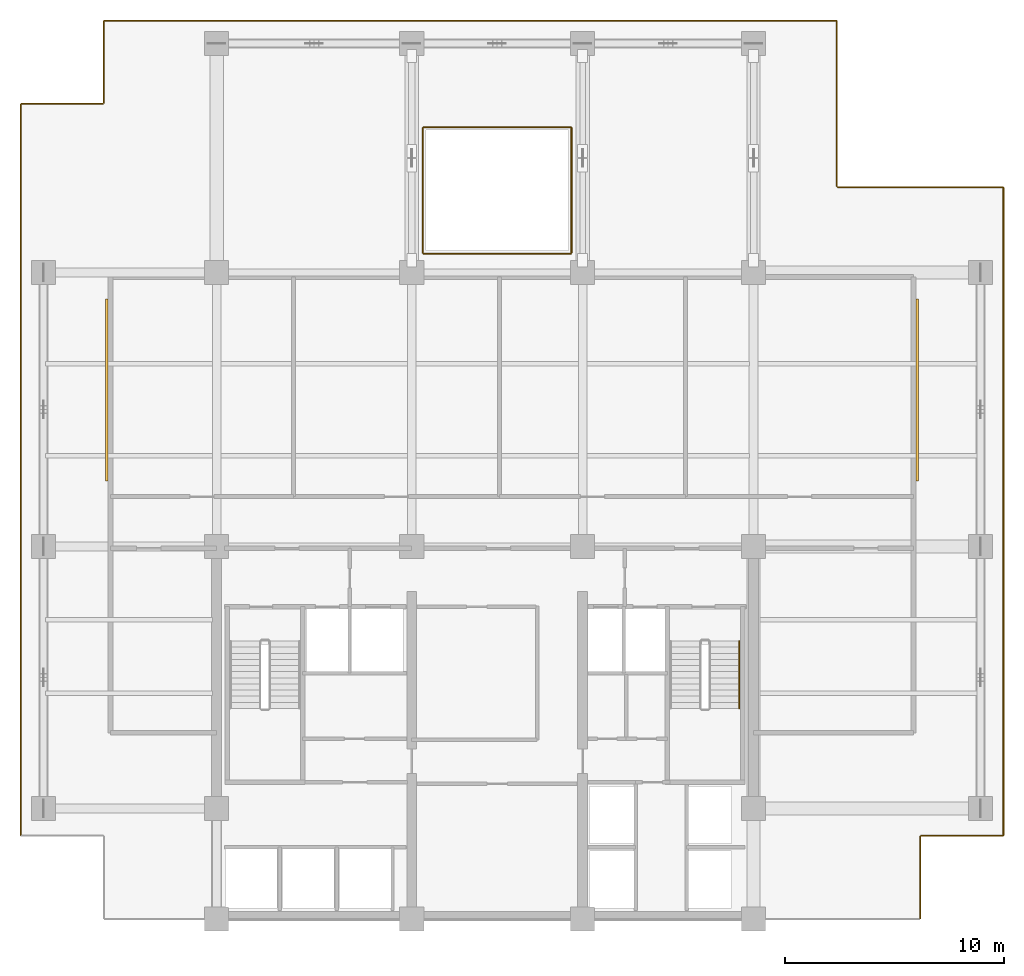
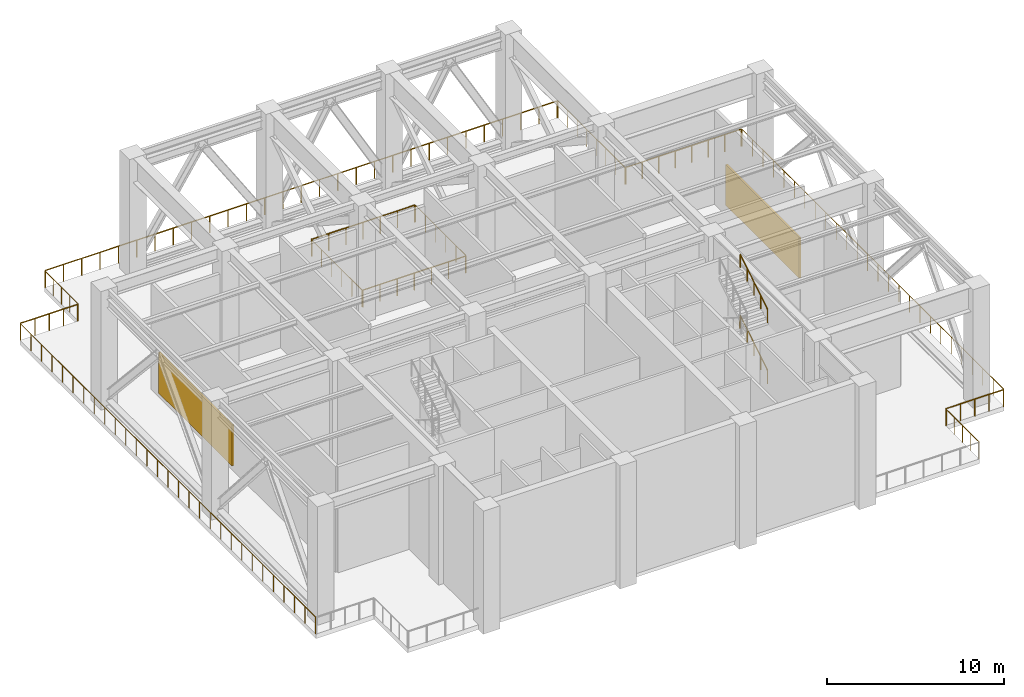
# One storey, part 7 of 7: 15 railings, 2 shading devices.
"""IFC4 building model written with IfcOpenShell, lengths in metres."""

from ifc_helpers import new_model, si_unit, direction, frame, origin, origin_2d, place, context, subcontext, project, spatial, polyline, circle, outline, extrude, material, layer, layer_set, type_object, element, save


model = new_model("IFC4")

# Units and contexts
model_context = context("Model", 3, precision=1e-05, world=origin(), true_north=direction((0.0, 1.0)))
body_context = subcontext(model_context, "Body", "Model", "MODEL_VIEW")
ifc_project = project(units=[si_unit("LENGTHUNIT", "METRE"), si_unit("AREAUNIT", "SQUARE_METRE"), si_unit("VOLUMEUNIT", "CUBIC_METRE"), si_unit("PLANEANGLEUNIT", "RADIAN"), si_unit("MASSUNIT", "GRAM", prefix="KILO")], contexts=[model_context])

# Site, building, storey
site_placement = place(None, origin())
site = spatial("IfcSite", under=ifc_project, at=site_placement, CompositionType="ELEMENT")
building_placement = place(site_placement, origin())
building = spatial("IfcBuilding", under=site, at=building_placement, Name="Qalmaran Belvedere Hotel", CompositionType="ELEMENT")
storey_placement = place(building_placement, frame((0.0, 0.0, 184.10009765625)))
storey = spatial("IfcBuildingStorey", under=building, at=storey_placement, Name="L47", CompositionType="ELEMENT", Elevation=184.10009765625)

# Railings
ifc_material_1 = material(Name="Anodised Bronze Aluminium", Category="aluminium")
railing_type_1 = type_object("IfcRailingType", Name="GRD-PORTAL-1180", PredefinedType="BALUSTRADE", material=ifc_material_1)
railing_1_placement = place(storey_placement, frame((52.39990234375, 3.534912109375, 0.0)))
element("IfcRailing", 1, at=railing_1_placement, inside=storey, type_object=railing_type_1, Name="L47 Guardrail L47-OUT-2", PredefinedType="BALUSTRADE", context=body_context, shape_type="SweptSolid", body=[
    extrude(circle(Radius=0.02392578125, at=origin_2d()), frame((0.0, 0.0, 1.15576171875), z_axis=(0.0, 1.0, 0.0), x_axis=(-1.0, 0.0, 0.0)), (0.0, 0.0, 1.0), 3.72998046875),
    extrude(circle(Radius=0.02099609375, at=origin_2d()), origin(), (0.0, 0.0, 1.0), 1.1318359375),
    extrude(circle(Radius=0.02099609375, at=origin_2d()), frame((0.0, 0.9326171875, 0.0)), (0.0, 0.0, 1.0), 1.1318359375),
    extrude(circle(Radius=0.02099609375, at=origin_2d()), frame((0.0, 1.864990234375, 0.0)), (0.0, 0.0, 1.0), 1.1318359375),
    extrude(circle(Radius=0.02099609375, at=origin_2d()), frame((0.0, 2.79736328125, 0.0)), (0.0, 0.0, 1.0), 1.1318359375),
    extrude(circle(Radius=0.02099609375, at=origin_2d()), frame((0.0, 3.72998046875, 0.0)), (0.0, 0.0, 1.0), 1.1318359375),
])
railing_2_placement = place(storey_placement, frame((52.43505859375, 7.300048828125, 0.0)))
element("IfcRailing", 2, at=railing_2_placement, inside=storey, type_object=railing_type_1, Name="L47 Guardrail L47-OUT-3", PredefinedType="BALUSTRADE", context=body_context, shape_type="SweptSolid", body=[
    extrude(circle(Radius=0.02392578125, at=origin_2d()), frame((0.0, 0.0, 1.15576171875), z_axis=(1.0, 0.0, 0.0), x_axis=(0.0, 1.0, 0.0)), (0.0, 0.0, 1.0), 3.72998046875),
    extrude(circle(Radius=0.02099609375, at=origin_2d()), origin(), (0.0, 0.0, 1.0), 1.1318359375),
    extrude(circle(Radius=0.02099609375, at=origin_2d()), frame((0.9326171875, 0.0, 0.0)), (0.0, 0.0, 1.0), 1.1318359375),
    extrude(circle(Radius=0.02099609375, at=origin_2d()), frame((1.864990234375, 0.0, 0.0)), (0.0, 0.0, 1.0), 1.1318359375),
    extrude(circle(Radius=0.02099609375, at=origin_2d()), frame((2.79736328125, 0.0, 0.0)), (0.0, 0.0, 1.0), 1.1318359375),
    extrude(circle(Radius=0.02099609375, at=origin_2d()), frame((3.72998046875, 0.0, 0.0)), (0.0, 0.0, 1.0), 1.1318359375),
])
railing_3_placement = place(storey_placement, frame((56.199951171875, 7.3349609375, 0.0)))
element("IfcRailing", 3, at=railing_3_placement, inside=storey, type_object=railing_type_1, Name="L47 Guardrail L47-OUT-4", PredefinedType="BALUSTRADE", context=body_context, shape_type="SweptSolid", body=[
    extrude(circle(Radius=0.02392578125, at=origin_2d()), frame((0.0, 0.0, 1.15576171875), z_axis=(0.0, 1.0, 0.0), x_axis=(-1.0, 0.0, 0.0)), (0.0, 0.0, 1.0), 29.530029296875),
    extrude(circle(Radius=0.02099609375, at=origin_2d()), origin(), (0.0, 0.0, 1.0), 1.1318359375),
    extrude(circle(Radius=0.02099609375, at=origin_2d()), frame((0.0, 1.18115234375, 0.0)), (0.0, 0.0, 1.0), 1.1318359375),
    extrude(circle(Radius=0.02099609375, at=origin_2d()), frame((0.0, 2.3623046875, 0.0)), (0.0, 0.0, 1.0), 1.1318359375),
    extrude(circle(Radius=0.02099609375, at=origin_2d()), frame((0.0, 3.543701171875, 0.0)), (0.0, 0.0, 1.0), 1.1318359375),
    extrude(circle(Radius=0.02099609375, at=origin_2d()), frame((0.0, 4.724853515625, 0.0)), (0.0, 0.0, 1.0), 1.1318359375),
    extrude(circle(Radius=0.02099609375, at=origin_2d()), frame((0.0, 5.906005859375, 0.0)), (0.0, 0.0, 1.0), 1.1318359375),
    extrude(circle(Radius=0.02099609375, at=origin_2d()), frame((0.0, 7.087158203125, 0.0)), (0.0, 0.0, 1.0), 1.1318359375),
    extrude(circle(Radius=0.02099609375, at=origin_2d()), frame((0.0, 8.268310546875, 0.0)), (0.0, 0.0, 1.0), 1.1318359375),
    extrude(circle(Radius=0.02099609375, at=origin_2d()), frame((0.0, 9.44970703125, 0.0)), (0.0, 0.0, 1.0), 1.1318359375),
    extrude(circle(Radius=0.02099609375, at=origin_2d()), frame((0.0, 10.630859375, 0.0)), (0.0, 0.0, 1.0), 1.1318359375),
    extrude(circle(Radius=0.02099609375, at=origin_2d()), frame((0.0, 11.81201171875, 0.0)), (0.0, 0.0, 1.0), 1.1318359375),
    extrude(circle(Radius=0.02099609375, at=origin_2d()), frame((0.0, 12.9931640625, 0.0)), (0.0, 0.0, 1.0), 1.1318359375),
    extrude(circle(Radius=0.02099609375, at=origin_2d()), frame((0.0, 14.17431640625, 0.0)), (0.0, 0.0, 1.0), 1.1318359375),
    extrude(circle(Radius=0.02099609375, at=origin_2d()), frame((0.0, 15.355712890625, 0.0)), (0.0, 0.0, 1.0), 1.1318359375),
    extrude(circle(Radius=0.02099609375, at=origin_2d()), frame((0.0, 16.536865234375, 0.0)), (0.0, 0.0, 1.0), 1.1318359375),
    extrude(circle(Radius=0.02099609375, at=origin_2d()), frame((0.0, 17.718017578125, 0.0)), (0.0, 0.0, 1.0), 1.1318359375),
    extrude(circle(Radius=0.02099609375, at=origin_2d()), frame((0.0, 18.899169921875, 0.0)), (0.0, 0.0, 1.0), 1.1318359375),
    extrude(circle(Radius=0.02099609375, at=origin_2d()), frame((0.0, 20.080322265625, 0.0)), (0.0, 0.0, 1.0), 1.1318359375),
    extrude(circle(Radius=0.02099609375, at=origin_2d()), frame((0.0, 21.26171875, 0.0)), (0.0, 0.0, 1.0), 1.1318359375),
    extrude(circle(Radius=0.02099609375, at=origin_2d()), frame((0.0, 22.44287109375, 0.0)), (0.0, 0.0, 1.0), 1.1318359375),
    extrude(circle(Radius=0.02099609375, at=origin_2d()), frame((0.0, 23.6240234375, 0.0)), (0.0, 0.0, 1.0), 1.1318359375),
    extrude(circle(Radius=0.02099609375, at=origin_2d()), frame((0.0, 24.80517578125, 0.0)), (0.0, 0.0, 1.0), 1.1318359375),
    extrude(circle(Radius=0.02099609375, at=origin_2d()), frame((0.0, 25.986328125, 0.0)), (0.0, 0.0, 1.0), 1.1318359375),
    extrude(circle(Radius=0.02099609375, at=origin_2d()), frame((0.0, 27.167724609375, 0.0)), (0.0, 0.0, 1.0), 1.1318359375),
    extrude(circle(Radius=0.02099609375, at=origin_2d()), frame((0.0, 28.348876953125, 0.0)), (0.0, 0.0, 1.0), 1.1318359375),
    extrude(circle(Radius=0.02099609375, at=origin_2d()), frame((0.0, 29.530029296875, 0.0)), (0.0, 0.0, 1.0), 1.1318359375),
])
railing_4_placement = place(storey_placement, frame((56.1650390625, 36.89990234375, 0.0)))
element("IfcRailing", 4, at=railing_4_placement, inside=storey, type_object=railing_type_1, Name="L47 Guardrail L47-OUT-5", PredefinedType="BALUSTRADE", context=body_context, shape_type="SweptSolid", body=[
    extrude(circle(Radius=0.02392578125, at=origin_2d()), frame((0.0, 0.0, 1.15576171875), z_axis=(-1.0, 0.0, 0.0), x_axis=(0.0, -1.0, 0.0)), (0.0, 0.0, 1.0), 7.530029296875),
    extrude(circle(Radius=0.02099609375, at=origin_2d()), origin(), (0.0, 0.0, 1.0), 1.1318359375),
    extrude(circle(Radius=0.02099609375, at=origin_2d()), frame((-1.07568359375, 0.0, 0.0)), (0.0, 0.0, 1.0), 1.1318359375),
    extrude(circle(Radius=0.02099609375, at=origin_2d()), frame((-2.1513671875, 0.0, 0.0)), (0.0, 0.0, 1.0), 1.1318359375),
    extrude(circle(Radius=0.02099609375, at=origin_2d()), frame((-3.22705078125, 0.0, 0.0)), (0.0, 0.0, 1.0), 1.1318359375),
    extrude(circle(Radius=0.02099609375, at=origin_2d()), frame((-4.302978515625, 0.0, 0.0)), (0.0, 0.0, 1.0), 1.1318359375),
    extrude(circle(Radius=0.02099609375, at=origin_2d()), frame((-5.378662109375, 0.0, 0.0)), (0.0, 0.0, 1.0), 1.1318359375),
    extrude(circle(Radius=0.02099609375, at=origin_2d()), frame((-6.454345703125, 0.0, 0.0)), (0.0, 0.0, 1.0), 1.1318359375),
    extrude(circle(Radius=0.02099609375, at=origin_2d()), frame((-7.530029296875, 0.0, 0.0)), (0.0, 0.0, 1.0), 1.1318359375),
])
railing_5_placement = place(storey_placement, frame((48.60009765625, 36.93505859375, 0.0)))
element("IfcRailing", 5, at=railing_5_placement, inside=storey, type_object=railing_type_1, Name="L47 Guardrail L47-OUT-6", PredefinedType="BALUSTRADE", context=body_context, shape_type="SweptSolid", body=[
    extrude(circle(Radius=0.02392578125, at=origin_2d()), frame((0.0, 0.0, 1.15576171875), z_axis=(0.0, 1.0, 0.0), x_axis=(-1.0, 0.0, 0.0)), (0.0, 0.0, 1.0), 7.530029296875),
    extrude(circle(Radius=0.02099609375, at=origin_2d()), origin(), (0.0, 0.0, 1.0), 1.1318359375),
    extrude(circle(Radius=0.02099609375, at=origin_2d()), frame((0.0, 1.07568359375, 0.0)), (0.0, 0.0, 1.0), 1.1318359375),
    extrude(circle(Radius=0.02099609375, at=origin_2d()), frame((0.0, 2.1513671875, 0.0)), (0.0, 0.0, 1.0), 1.1318359375),
    extrude(circle(Radius=0.02099609375, at=origin_2d()), frame((0.0, 3.22705078125, 0.0)), (0.0, 0.0, 1.0), 1.1318359375),
    extrude(circle(Radius=0.02099609375, at=origin_2d()), frame((0.0, 4.302978515625, 0.0)), (0.0, 0.0, 1.0), 1.1318359375),
    extrude(circle(Radius=0.02099609375, at=origin_2d()), frame((0.0, 5.378662109375, 0.0)), (0.0, 0.0, 1.0), 1.1318359375),
    extrude(circle(Radius=0.02099609375, at=origin_2d()), frame((0.0, 6.454345703125, 0.0)), (0.0, 0.0, 1.0), 1.1318359375),
    extrude(circle(Radius=0.02099609375, at=origin_2d()), frame((0.0, 7.530029296875, 0.0)), (0.0, 0.0, 1.0), 1.1318359375),
])
railing_6_placement = place(storey_placement, frame((48.56494140625, 44.5, 0.0)))
element("IfcRailing", 6, at=railing_6_placement, inside=storey, type_object=railing_type_1, Name="L47 Guardrail L47-OUT-7", PredefinedType="BALUSTRADE", context=body_context, shape_type="SweptSolid", body=[
    extrude(circle(Radius=0.02392578125, at=origin_2d()), frame((0.0, 0.0, 1.15576171875), z_axis=(-1.0, 0.0, 0.0), x_axis=(0.0, -1.0, 0.0)), (0.0, 0.0, 1.0), 33.3798828125),
    extrude(circle(Radius=0.02099609375, at=origin_2d()), origin(), (0.0, 0.0, 1.0), 1.1318359375),
    extrude(circle(Radius=0.02099609375, at=origin_2d()), frame((-1.192138671875, 0.0, 0.0)), (0.0, 0.0, 1.0), 1.1318359375),
    extrude(circle(Radius=0.02099609375, at=origin_2d()), frame((-2.38427734375, 0.0, 0.0)), (0.0, 0.0, 1.0), 1.1318359375),
    extrude(circle(Radius=0.02099609375, at=origin_2d()), frame((-3.576416015625, 0.0, 0.0)), (0.0, 0.0, 1.0), 1.1318359375),
    extrude(circle(Radius=0.02099609375, at=origin_2d()), frame((-4.7685546875, 0.0, 0.0)), (0.0, 0.0, 1.0), 1.1318359375),
    extrude(circle(Radius=0.02099609375, at=origin_2d()), frame((-5.960693359375, 0.0, 0.0)), (0.0, 0.0, 1.0), 1.1318359375),
    extrude(circle(Radius=0.02099609375, at=origin_2d()), frame((-7.15283203125, 0.0, 0.0)), (0.0, 0.0, 1.0), 1.1318359375),
    extrude(circle(Radius=0.02099609375, at=origin_2d()), frame((-8.344970703125, 0.0, 0.0)), (0.0, 0.0, 1.0), 1.1318359375),
    extrude(circle(Radius=0.02099609375, at=origin_2d()), frame((-9.537109375, 0.0, 0.0)), (0.0, 0.0, 1.0), 1.1318359375),
    extrude(circle(Radius=0.02099609375, at=origin_2d()), frame((-10.729248046875, 0.0, 0.0)), (0.0, 0.0, 1.0), 1.1318359375),
    extrude(circle(Radius=0.02099609375, at=origin_2d()), frame((-11.92138671875, 0.0, 0.0)), (0.0, 0.0, 1.0), 1.1318359375),
    extrude(circle(Radius=0.02099609375, at=origin_2d()), frame((-13.113525390625, 0.0, 0.0)), (0.0, 0.0, 1.0), 1.1318359375),
    extrude(circle(Radius=0.02099609375, at=origin_2d()), frame((-14.3056640625, 0.0, 0.0)), (0.0, 0.0, 1.0), 1.1318359375),
    extrude(circle(Radius=0.02099609375, at=origin_2d()), frame((-15.497802734375, 0.0, 0.0)), (0.0, 0.0, 1.0), 1.1318359375),
    extrude(circle(Radius=0.02099609375, at=origin_2d()), frame((-16.68994140625, 0.0, 0.0)), (0.0, 0.0, 1.0), 1.1318359375),
    extrude(circle(Radius=0.02099609375, at=origin_2d()), frame((-17.882080078125, 0.0, 0.0)), (0.0, 0.0, 1.0), 1.1318359375),
    extrude(circle(Radius=0.02099609375, at=origin_2d()), frame((-19.07421875, 0.0, 0.0)), (0.0, 0.0, 1.0), 1.1318359375),
    extrude(circle(Radius=0.02099609375, at=origin_2d()), frame((-20.266357421875, 0.0, 0.0)), (0.0, 0.0, 1.0), 1.1318359375),
    extrude(circle(Radius=0.02099609375, at=origin_2d()), frame((-21.45849609375, 0.0, 0.0)), (0.0, 0.0, 1.0), 1.1318359375),
    extrude(circle(Radius=0.02099609375, at=origin_2d()), frame((-22.650634765625, 0.0, 0.0)), (0.0, 0.0, 1.0), 1.1318359375),
    extrude(circle(Radius=0.02099609375, at=origin_2d()), frame((-23.8427734375, 0.0, 0.0)), (0.0, 0.0, 1.0), 1.1318359375),
    extrude(circle(Radius=0.02099609375, at=origin_2d()), frame((-25.034912109375, 0.0, 0.0)), (0.0, 0.0, 1.0), 1.1318359375),
    extrude(circle(Radius=0.02099609375, at=origin_2d()), frame((-26.22705078125, 0.0, 0.0)), (0.0, 0.0, 1.0), 1.1318359375),
    extrude(circle(Radius=0.02099609375, at=origin_2d()), frame((-27.419189453125, 0.0, 0.0)), (0.0, 0.0, 1.0), 1.1318359375),
    extrude(circle(Radius=0.02099609375, at=origin_2d()), frame((-28.611328125, 0.0, 0.0)), (0.0, 0.0, 1.0), 1.1318359375),
    extrude(circle(Radius=0.02099609375, at=origin_2d()), frame((-29.803466796875, 0.0, 0.0)), (0.0, 0.0, 1.0), 1.1318359375),
    extrude(circle(Radius=0.02099609375, at=origin_2d()), frame((-30.99560546875, 0.0, 0.0)), (0.0, 0.0, 1.0), 1.1318359375),
    extrude(circle(Radius=0.02099609375, at=origin_2d()), frame((-32.187744140625, 0.0, 0.0)), (0.0, 0.0, 1.0), 1.1318359375),
    extrude(circle(Radius=0.02099609375, at=origin_2d()), frame((-33.3798828125, 0.0, 0.0)), (0.0, 0.0, 1.0), 1.1318359375),
])
railing_7_placement = place(storey_placement, frame((15.14990234375, 44.465087890625, 0.0)))
element("IfcRailing", 7, at=railing_7_placement, inside=storey, type_object=railing_type_1, Name="L47 Guardrail L47-OUT-8", PredefinedType="BALUSTRADE", context=body_context, shape_type="SweptSolid", body=[
    extrude(circle(Radius=0.02392578125, at=origin_2d()), frame((0.0, 0.0, 1.15576171875), z_axis=(0.0, -1.0, 0.0), x_axis=(1.0, 0.0, 0.0)), (0.0, 0.0, 1.0), 3.72998046875),
    extrude(circle(Radius=0.02099609375, at=origin_2d()), origin(), (0.0, 0.0, 1.0), 1.1318359375),
    extrude(circle(Radius=0.02099609375, at=origin_2d()), frame((0.0, -0.9326171875, 0.0)), (0.0, 0.0, 1.0), 1.1318359375),
    extrude(circle(Radius=0.02099609375, at=origin_2d()), frame((0.0, -1.864990234375, 0.0)), (0.0, 0.0, 1.0), 1.1318359375),
    extrude(circle(Radius=0.02099609375, at=origin_2d()), frame((0.0, -2.79736328125, 0.0)), (0.0, 0.0, 1.0), 1.1318359375),
    extrude(circle(Radius=0.02099609375, at=origin_2d()), frame((0.0, -3.72998046875, 0.0)), (0.0, 0.0, 1.0), 1.1318359375),
])
railing_8_placement = place(storey_placement, frame((15.114990234375, 40.699951171875, 0.0)))
element("IfcRailing", 8, at=railing_8_placement, inside=storey, type_object=railing_type_1, Name="L47 Guardrail L47-OUT-9", PredefinedType="BALUSTRADE", context=body_context, shape_type="SweptSolid", body=[
    extrude(circle(Radius=0.02392578125, at=origin_2d()), frame((0.0, 0.0, 1.15576171875), z_axis=(-1.0, 0.0, 0.0), x_axis=(0.0, -1.0, 0.0)), (0.0, 0.0, 1.0), 3.72998046875),
    extrude(circle(Radius=0.02099609375, at=origin_2d()), origin(), (0.0, 0.0, 1.0), 1.1318359375),
    extrude(circle(Radius=0.02099609375, at=origin_2d()), frame((-0.9326171875, 0.0, 0.0)), (0.0, 0.0, 1.0), 1.1318359375),
    extrude(circle(Radius=0.02099609375, at=origin_2d()), frame((-1.864990234375, 0.0, 0.0)), (0.0, 0.0, 1.0), 1.1318359375),
    extrude(circle(Radius=0.02099609375, at=origin_2d()), frame((-2.79736328125, 0.0, 0.0)), (0.0, 0.0, 1.0), 1.1318359375),
    extrude(circle(Radius=0.02099609375, at=origin_2d()), frame((-3.72998046875, 0.0, 0.0)), (0.0, 0.0, 1.0), 1.1318359375),
])
railing_9_placement = place(storey_placement, frame((11.35009765625, 40.6650390625, 0.0)))
element("IfcRailing", 9, at=railing_9_placement, inside=storey, type_object=railing_type_1, Name="L47 Guardrail L47-OUT-10", PredefinedType="BALUSTRADE", context=body_context, shape_type="SweptSolid", body=[
    extrude(circle(Radius=0.02392578125, at=origin_2d()), frame((0.0, 0.0, 1.15576171875), z_axis=(0.0, -1.0, 0.0), x_axis=(1.0, 0.0, 0.0)), (0.0, 0.0, 1.0), 33.330078125),
    extrude(circle(Radius=0.02099609375, at=origin_2d()), origin(), (0.0, 0.0, 1.0), 1.1318359375),
    extrude(circle(Radius=0.02099609375, at=origin_2d()), frame((0.0, -1.1904296875, 0.0)), (0.0, 0.0, 1.0), 1.1318359375),
    extrude(circle(Radius=0.02099609375, at=origin_2d()), frame((0.0, -2.380615234375, 0.0)), (0.0, 0.0, 1.0), 1.1318359375),
    extrude(circle(Radius=0.02099609375, at=origin_2d()), frame((0.0, -3.571044921875, 0.0)), (0.0, 0.0, 1.0), 1.1318359375),
    extrude(circle(Radius=0.02099609375, at=origin_2d()), frame((0.0, -4.761474609375, 0.0)), (0.0, 0.0, 1.0), 1.1318359375),
    extrude(circle(Radius=0.02099609375, at=origin_2d()), frame((0.0, -5.951904296875, 0.0)), (0.0, 0.0, 1.0), 1.1318359375),
    extrude(circle(Radius=0.02099609375, at=origin_2d()), frame((0.0, -7.14208984375, 0.0)), (0.0, 0.0, 1.0), 1.1318359375),
    extrude(circle(Radius=0.02099609375, at=origin_2d()), frame((0.0, -8.33251953125, 0.0)), (0.0, 0.0, 1.0), 1.1318359375),
    extrude(circle(Radius=0.02099609375, at=origin_2d()), frame((0.0, -9.52294921875, 0.0)), (0.0, 0.0, 1.0), 1.1318359375),
    extrude(circle(Radius=0.02099609375, at=origin_2d()), frame((0.0, -10.713134765625, 0.0)), (0.0, 0.0, 1.0), 1.1318359375),
    extrude(circle(Radius=0.02099609375, at=origin_2d()), frame((0.0, -11.903564453125, 0.0)), (0.0, 0.0, 1.0), 1.1318359375),
    extrude(circle(Radius=0.02099609375, at=origin_2d()), frame((0.0, -13.093994140625, 0.0)), (0.0, 0.0, 1.0), 1.1318359375),
    extrude(circle(Radius=0.02099609375, at=origin_2d()), frame((0.0, -14.284423828125, 0.0)), (0.0, 0.0, 1.0), 1.1318359375),
    extrude(circle(Radius=0.02099609375, at=origin_2d()), frame((0.0, -15.474609375, 0.0)), (0.0, 0.0, 1.0), 1.1318359375),
    extrude(circle(Radius=0.02099609375, at=origin_2d()), frame((0.0, -16.6650390625, 0.0)), (0.0, 0.0, 1.0), 1.1318359375),
    extrude(circle(Radius=0.02099609375, at=origin_2d()), frame((0.0, -17.85546875, 0.0)), (0.0, 0.0, 1.0), 1.1318359375),
    extrude(circle(Radius=0.02099609375, at=origin_2d()), frame((0.0, -19.045654296875, 0.0)), (0.0, 0.0, 1.0), 1.1318359375),
    extrude(circle(Radius=0.02099609375, at=origin_2d()), frame((0.0, -20.236083984375, 0.0)), (0.0, 0.0, 1.0), 1.1318359375),
    extrude(circle(Radius=0.02099609375, at=origin_2d()), frame((0.0, -21.426513671875, 0.0)), (0.0, 0.0, 1.0), 1.1318359375),
    extrude(circle(Radius=0.02099609375, at=origin_2d()), frame((0.0, -22.616943359375, 0.0)), (0.0, 0.0, 1.0), 1.1318359375),
    extrude(circle(Radius=0.02099609375, at=origin_2d()), frame((0.0, -23.80712890625, 0.0)), (0.0, 0.0, 1.0), 1.1318359375),
    extrude(circle(Radius=0.02099609375, at=origin_2d()), frame((0.0, -24.99755859375, 0.0)), (0.0, 0.0, 1.0), 1.1318359375),
    extrude(circle(Radius=0.02099609375, at=origin_2d()), frame((0.0, -26.18798828125, 0.0)), (0.0, 0.0, 1.0), 1.1318359375),
    extrude(circle(Radius=0.02099609375, at=origin_2d()), frame((0.0, -27.378173828125, 0.0)), (0.0, 0.0, 1.0), 1.1318359375),
    extrude(circle(Radius=0.02099609375, at=origin_2d()), frame((0.0, -28.568603515625, 0.0)), (0.0, 0.0, 1.0), 1.1318359375),
    extrude(circle(Radius=0.02099609375, at=origin_2d()), frame((0.0, -29.759033203125, 0.0)), (0.0, 0.0, 1.0), 1.1318359375),
    extrude(circle(Radius=0.02099609375, at=origin_2d()), frame((0.0, -30.949462890625, 0.0)), (0.0, 0.0, 1.0), 1.1318359375),
    extrude(circle(Radius=0.02099609375, at=origin_2d()), frame((0.0, -32.1396484375, 0.0)), (0.0, 0.0, 1.0), 1.1318359375),
    extrude(circle(Radius=0.02099609375, at=origin_2d()), frame((0.0, -33.330078125, 0.0)), (0.0, 0.0, 1.0), 1.1318359375),
])
railing_10_placement = place(storey_placement, frame((29.7451171875, 33.860107421875, 0.0)))
element("IfcRailing", 10, at=railing_10_placement, inside=storey, type_object=railing_type_1, Name="L47 Guardrail L47-VOID-1", PredefinedType="BALUSTRADE", context=body_context, shape_type="SweptSolid", body=[
    extrude(circle(Radius=0.02392578125, at=origin_2d()), frame((0.0, 0.0, 1.15576171875), z_axis=(1.0, 0.0, 0.0), x_axis=(0.0, 1.0, 0.0)), (0.0, 0.0, 1.0), 6.7099609375),
    extrude(circle(Radius=0.02099609375, at=origin_2d()), origin(), (0.0, 0.0, 1.0), 1.1318359375),
    extrude(circle(Radius=0.02099609375, at=origin_2d()), frame((1.118408203125, 0.0, 0.0)), (0.0, 0.0, 1.0), 1.1318359375),
    extrude(circle(Radius=0.02099609375, at=origin_2d()), frame((2.236572265625, 0.0, 0.0)), (0.0, 0.0, 1.0), 1.1318359375),
    extrude(circle(Radius=0.02099609375, at=origin_2d()), frame((3.35498046875, 0.0, 0.0)), (0.0, 0.0, 1.0), 1.1318359375),
    extrude(circle(Radius=0.02099609375, at=origin_2d()), frame((4.473388671875, 0.0, 0.0)), (0.0, 0.0, 1.0), 1.1318359375),
    extrude(circle(Radius=0.02099609375, at=origin_2d()), frame((5.591552734375, 0.0, 0.0)), (0.0, 0.0, 1.0), 1.1318359375),
    extrude(circle(Radius=0.02099609375, at=origin_2d()), frame((6.7099609375, 0.0, 0.0)), (0.0, 0.0, 1.0), 1.1318359375),
])
railing_11_placement = place(storey_placement, frame((36.489990234375, 33.89501953125, 0.0)))
element("IfcRailing", 11, at=railing_11_placement, inside=storey, type_object=railing_type_1, Name="L47 Guardrail L47-VOID-2", PredefinedType="BALUSTRADE", context=body_context, shape_type="SweptSolid", body=[
    extrude(circle(Radius=0.02392578125, at=origin_2d()), frame((0.0, 0.0, 1.15576171875), z_axis=(0.0, 1.0, 0.0), x_axis=(-1.0, 0.0, 0.0)), (0.0, 0.0, 1.0), 5.7099609375),
    extrude(circle(Radius=0.02099609375, at=origin_2d()), origin(), (0.0, 0.0, 1.0), 1.1318359375),
    extrude(circle(Radius=0.02099609375, at=origin_2d()), frame((0.0, 1.14208984375, 0.0)), (0.0, 0.0, 1.0), 1.1318359375),
    extrude(circle(Radius=0.02099609375, at=origin_2d()), frame((0.0, 2.283935546875, 0.0)), (0.0, 0.0, 1.0), 1.1318359375),
    extrude(circle(Radius=0.02099609375, at=origin_2d()), frame((0.0, 3.426025390625, 0.0)), (0.0, 0.0, 1.0), 1.1318359375),
    extrude(circle(Radius=0.02099609375, at=origin_2d()), frame((0.0, 4.56787109375, 0.0)), (0.0, 0.0, 1.0), 1.1318359375),
    extrude(circle(Radius=0.02099609375, at=origin_2d()), frame((0.0, 5.7099609375, 0.0)), (0.0, 0.0, 1.0), 1.1318359375),
])
railing_12_placement = place(storey_placement, frame((36.455078125, 39.639892578125, 0.0)))
element("IfcRailing", 12, at=railing_12_placement, inside=storey, type_object=railing_type_1, Name="L47 Guardrail L47-VOID-3", PredefinedType="BALUSTRADE", context=body_context, shape_type="SweptSolid", body=[
    extrude(circle(Radius=0.02392578125, at=origin_2d()), frame((0.0, 0.0, 1.15576171875), z_axis=(-1.0, 0.0, 0.0), x_axis=(0.0, -1.0, 0.0)), (0.0, 0.0, 1.0), 6.7099609375),
    extrude(circle(Radius=0.02099609375, at=origin_2d()), origin(), (0.0, 0.0, 1.0), 1.1318359375),
    extrude(circle(Radius=0.02099609375, at=origin_2d()), frame((-1.118408203125, 0.0, 0.0)), (0.0, 0.0, 1.0), 1.1318359375),
    extrude(circle(Radius=0.02099609375, at=origin_2d()), frame((-2.236572265625, 0.0, 0.0)), (0.0, 0.0, 1.0), 1.1318359375),
    extrude(circle(Radius=0.02099609375, at=origin_2d()), frame((-3.35498046875, 0.0, 0.0)), (0.0, 0.0, 1.0), 1.1318359375),
    extrude(circle(Radius=0.02099609375, at=origin_2d()), frame((-4.473388671875, 0.0, 0.0)), (0.0, 0.0, 1.0), 1.1318359375),
    extrude(circle(Radius=0.02099609375, at=origin_2d()), frame((-5.591552734375, 0.0, 0.0)), (0.0, 0.0, 1.0), 1.1318359375),
    extrude(circle(Radius=0.02099609375, at=origin_2d()), frame((-6.7099609375, 0.0, 0.0)), (0.0, 0.0, 1.0), 1.1318359375),
])
railing_13_placement = place(storey_placement, frame((29.7099609375, 39.60498046875, 0.0)))
element("IfcRailing", 13, at=railing_13_placement, inside=storey, type_object=railing_type_1, Name="L47 Guardrail L47-VOID-4", PredefinedType="BALUSTRADE", context=body_context, shape_type="SweptSolid", body=[
    extrude(circle(Radius=0.02392578125, at=origin_2d()), frame((0.0, 0.0, 1.15576171875), z_axis=(0.0, -1.0, 0.0), x_axis=(1.0, 0.0, 0.0)), (0.0, 0.0, 1.0), 5.7099609375),
    extrude(circle(Radius=0.02099609375, at=origin_2d()), origin(), (0.0, 0.0, 1.0), 1.1318359375),
    extrude(circle(Radius=0.02099609375, at=origin_2d()), frame((0.0, -1.14208984375, 0.0)), (0.0, 0.0, 1.0), 1.1318359375),
    extrude(circle(Radius=0.02099609375, at=origin_2d()), frame((0.0, -2.283935546875, 0.0)), (0.0, 0.0, 1.0), 1.1318359375),
    extrude(circle(Radius=0.02099609375, at=origin_2d()), frame((0.0, -3.426025390625, 0.0)), (0.0, 0.0, 1.0), 1.1318359375),
    extrude(circle(Radius=0.02099609375, at=origin_2d()), frame((0.0, -4.56787109375, 0.0)), (0.0, 0.0, 1.0), 1.1318359375),
    extrude(circle(Radius=0.02099609375, at=origin_2d()), frame((0.0, -5.7099609375, 0.0)), (0.0, 0.0, 1.0), 1.1318359375),
])

# Shading devices
ifc_layer = layer(ifc_material_1, 0.1201171875, Name="Anodised Bronze Aluminium")
ifc_layer_set = layer_set([ifc_layer], Name="Anodised Bronze Aluminium")
shading_device_type = type_object("IfcShadingDeviceType", Name="LVR-PLANT-120", PredefinedType="JALOUSIE", material=ifc_layer_set)
shading_device_1_placement = place(storey_placement, frame((0.0, 0.0, 0.39990234375)))
element("IfcShadingDevice", 14, at=shading_device_1_placement, inside=storey, type_object=shading_device_type, Name="L47 Inboard Acoustic Plant Louvre W", PredefinedType="JALOUSIE", context=body_context, shape_type="SweptSolid", body=[
    extrude(outline(polyline([(15.22998046875, 23.5), (15.35009765625, 23.5), (15.35009765625, 31.800048828125), (15.22998046875, 31.800048828125), (15.22998046875, 23.5)])), origin(), (0.0, 0.0, 1.0), 2.800048828125),
])
shading_device_2_placement = place(storey_placement, frame((0.0, 0.0, 0.39990234375)))
element("IfcShadingDevice", 15, at=shading_device_2_placement, inside=storey, type_object=shading_device_type, Name="L47 Inboard Acoustic Plant Louvre E", PredefinedType="JALOUSIE", context=body_context, shape_type="SweptSolid", body=[
    extrude(outline(polyline([(52.199951171875, 23.5), (52.320068359375, 23.5), (52.320068359375, 31.800048828125), (52.199951171875, 31.800048828125), (52.199951171875, 23.5)])), origin(), (0.0, 0.0, 1.0), 2.800048828125),
])

# Railings
ifc_material_2 = material(Name="Stainless Steel 1.4401", Category="steel")
railing_type_2 = type_object("IfcRailingType", Name="RLG-STAIR-HAND-910", PredefinedType="HANDRAIL", material=ifc_material_2)
for number, where, name in (
    (16, (44.14990234375, 13.110107421875, 2.27490234375), "L47 ST-2 stair handrail 2"),
    (17, (44.14990234375, 13.110107421875, 6.474853515625), "L47 ST-2 stair handrail 4"),
):
    element("IfcRailing", number, at=place(storey_placement, frame(where)), inside=storey, type_object=railing_type_2, Name=name, PredefinedType="HANDRAIL", context=body_context, shape_type="SweptSolid", body=[
        extrude(circle(Radius=0.02392578125, at=origin_2d()), frame((0.0, 0.0, 0.8857421875), z_axis=(0.0, 0.847979421464, 0.530029150871), x_axis=(-1.0, 0.0, 0.0)), (0.0, 0.0, 1.0), 3.632080078125),
        extrude(circle(Radius=0.02099609375, at=origin_2d()), origin(), (0.0, 0.0, 1.0), 0.86181640625),
        extrude(circle(Radius=0.02099609375, at=origin_2d()), frame((0.0, 0.77001953125, 0.481201171875)), (0.0, 0.0, 1.0), 0.86181640625),
        extrude(circle(Radius=0.02099609375, at=origin_2d()), frame((0.0, 1.5400390625, 0.96240234375)), (0.0, 0.0, 1.0), 0.86181640625),
        extrude(circle(Radius=0.02099609375, at=origin_2d()), frame((0.0, 2.309814453125, 1.44384765625)), (0.0, 0.0, 1.0), 0.86181640625),
        extrude(circle(Radius=0.02099609375, at=origin_2d()), frame((0.0, 3.079833984375, 1.925048828125)), (0.0, 0.0, 1.0), 0.86181640625),
    ])

save(model, "model.ifc")
